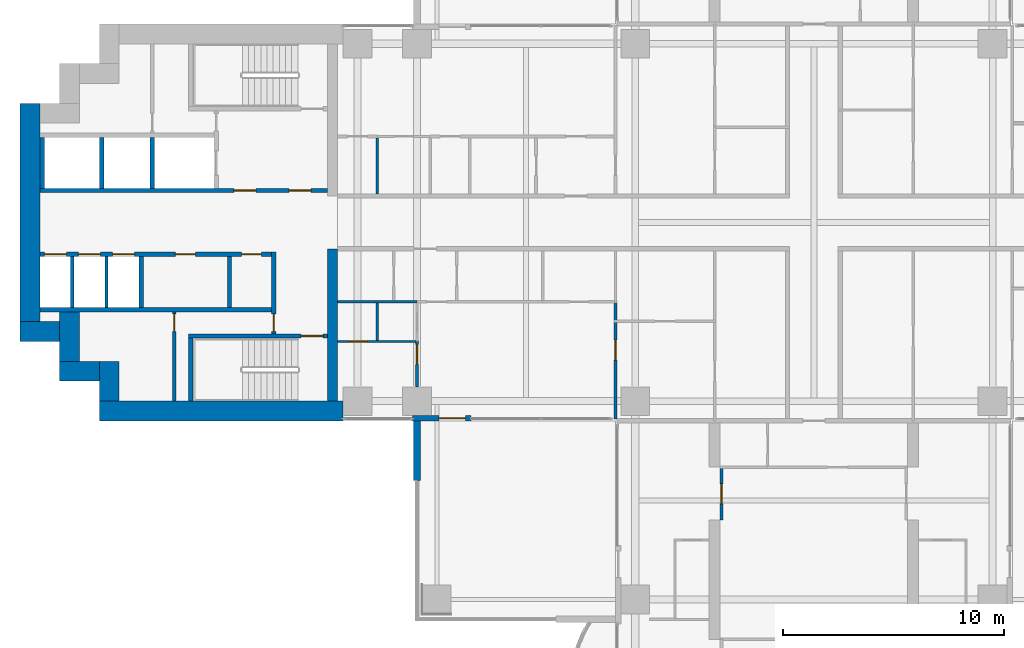
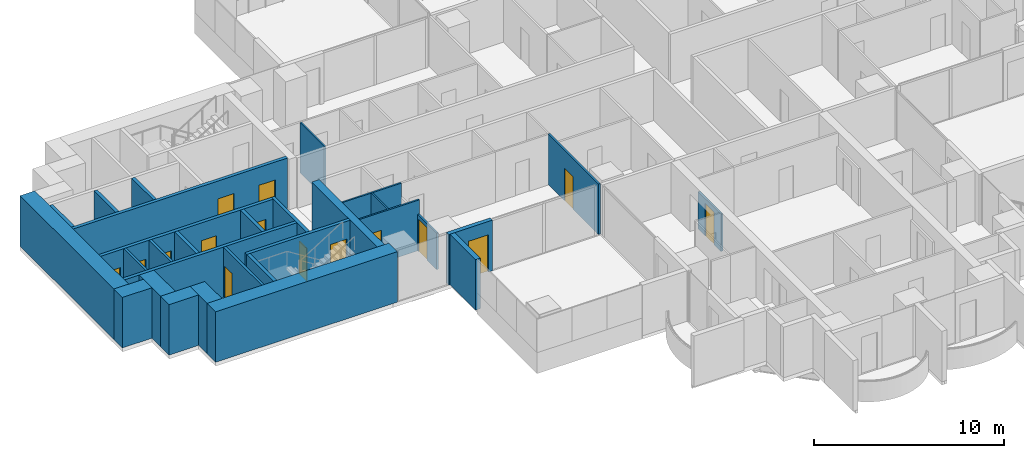
# One storey, part 10 of 21: 30 walls, 15 doors, 15 openings.
"""IFC4 building model written with IfcOpenShell, lengths in metres."""

from ifc_helpers import new_model, si_unit, direction, frame, frame_2d, origin, place, context, subcontext, project, spatial, rectangle, extrude, material, layer, layer_set, type_object, element, fill, save


model = new_model("IFC4")

# Units and contexts
model_context = context("Model", 3, precision=1e-05, world=origin(), true_north=direction((0.0, 1.0)))
body_context = subcontext(model_context, "Body", "Model", "MODEL_VIEW")
ifc_project = project(units=[si_unit("LENGTHUNIT", "METRE"), si_unit("AREAUNIT", "SQUARE_METRE"), si_unit("VOLUMEUNIT", "CUBIC_METRE"), si_unit("PLANEANGLEUNIT", "RADIAN"), si_unit("MASSUNIT", "GRAM", prefix="KILO")], contexts=[model_context])

# Site, building, storey
site_placement = place(None, origin())
site = spatial("IfcSite", under=ifc_project, at=site_placement, CompositionType="ELEMENT")
building_placement = place(site_placement, origin())
building = spatial("IfcBuilding", under=site, at=building_placement, Name="Perihelion Cross Residences", CompositionType="ELEMENT")
storey_placement = place(building_placement, frame((0.0, 0.0, 57.5)))
storey = spatial("IfcBuildingStorey", under=building, at=storey_placement, Name="L11", CompositionType="ELEMENT", Elevation=57.5)

# Wall, opening, door
ifc_material_1 = material(Name="Concrete C30/37, bronze-clad", Category="concrete")
ifc_layer_1 = layer(ifc_material_1, 0.25)
ifc_layer_set_1 = layer_set([ifc_layer_1], Name="Bronze-clad pier wall 250")
wall_type_1 = type_object("IfcWallType", Name="Bronze-clad pier wall 250", PredefinedType="SOLIDWALL", material=ifc_layer_set_1)
wall_1_placement = place(storey_placement, frame((-18.199951171875, -8.875, 0.0), z_axis=(0.0, 0.0, 1.0), x_axis=(1.0, 0.0, 0.0)))
wall_1 = element("IfcWall", 1, at=wall_1_placement, inside=storey, type_object=wall_type_1, Name="Wall FW1 L11 west side south bay 2 pier", PredefinedType="SOLIDWALL", context=body_context, shape_type="SweptSolid", body=[
    extrude(rectangle(XDim=2.64990234375, YDim=0.25, at=frame_2d((1.324951171875, 0.0))), origin(), (0.0, 0.0, 1.0), 3.25),
])
opening_1_placement = place(wall_1_placement, frame((1.199951171875, 0.0, 0.0)))
opening_1 = element("IfcOpeningElement", 2, at=opening_1_placement, cuts=wall_1, Name="Opening L11.E09", PredefinedType="OPENING", context=body_context, shape_type="SweptSolid", body=[
    extrude(rectangle(XDim=1.199951171875, YDim=2.39990234375, at=frame_2d((0.60009765625, 1.199951171875))), frame((0.0, 0.135009765625, 0.0), z_axis=(0.0, -1.0, 0.0), x_axis=(1.0, 0.0, 0.0)), (0.0, 0.0, 1.0), 0.27001953125),
])
ifc_material_2 = material(Name="Bronze anodised aluminium, glazed", Category="aluminium")
door_type_1 = type_object("IfcDoorType", Name="Balcony door 1200 x 2400", OperationType="NOTDEFINED", PredefinedType="DOOR", material=ifc_material_2)
door_1_placement = place(opening_1_placement, origin())
door_1 = element("IfcDoor", 3, at=door_1_placement, inside=storey, type_object=door_type_1, Name="Door L11.E09 west side south bay 2", OperationType="SINGLE_SWING_RIGHT", OverallHeight=2.39990234375, OverallWidth=1.199951171875, PredefinedType="DOOR", context=body_context, shape_type="SweptSolid", body=[
    extrude(rectangle(XDim=1.199951171875, YDim=2.39990234375, at=frame_2d((0.60009765625, 1.199951171875))), frame((0.0, 0.02490234375, 0.0), z_axis=(0.0, -1.0, 0.0), x_axis=(1.0, 0.0, 0.0)), (0.0, 0.0, 1.0), 0.050048828125),
])
fill(opening_1, door_1)

# Walls
ifc_material_3 = material(Name="Concrete C60/75", Category="concrete")
ifc_layer_2 = layer(ifc_material_3, 0.449951171875)
ifc_layer_set_2 = layer_set([ifc_layer_2], Name="Core wall, inner 450")
wall_type_2 = type_object("IfcWallType", Name="Core wall, inner 450", PredefinedType="SHEAR", material=ifc_layer_set_2)
wall_2_placement = place(storey_placement, frame((-21.824951171875, -8.10009765625, 0.0), z_axis=(0.0, 0.0, 1.0), x_axis=(0.0, 1.0, 0.0)))
element("IfcWall", 4, at=wall_2_placement, inside=storey, type_object=wall_type_2, Name="West core core wall, inner", PredefinedType="SHEAR", context=body_context, shape_type="SweptSolid", body=[
    extrude(rectangle(XDim=6.900146484375, YDim=0.449951171875, at=frame_2d((3.4501953125, 0.0))), origin(), (0.0, 0.0, 1.0), 3.25),
])
ifc_material_4 = material(Name="Concrete C60/75", Category="concrete")
ifc_layer_3 = layer(ifc_material_4, 0.89990234375)
ifc_layer_set_3 = layer_set([ifc_layer_3], Name="Core wall, outer 900")
wall_type_3 = type_object("IfcWallType", Name="Core wall, outer 900", PredefinedType="SHEAR", material=ifc_layer_set_3)
wall_3_placement = place(storey_placement, frame((-32.39990234375, -8.550048828125, 0.0), z_axis=(0.0, 0.0, 1.0), x_axis=(1.0, 0.0, 0.0)))
element("IfcWall", 5, at=wall_3_placement, inside=storey, type_object=wall_type_3, Name="West core core wall, outer", PredefinedType="SHEAR", context=body_context, shape_type="SweptSolid", body=[
    extrude(rectangle(XDim=11.0498046875, YDim=0.89990234375, at=frame_2d((5.52490234375, 0.0))), origin(), (0.0, 0.0, 1.0), 3.25),
])
for number, where, z_axis, x_axis, name in (
    (6, (-31.949951171875, -8.10009765625, 0.0), (0.0, 0.0, 1.0), (0.0, 1.0, 0.0), "West core core wall, outer"),
    (7, (-34.199951171875, -6.75, 0.0), (0.0, 0.0, 1.0), (1.0, 0.0, 0.0), "West core core wall, outer"),
):
    element("IfcWall", number, at=place(storey_placement, frame(where, z_axis=z_axis, x_axis=x_axis)), inside=storey, type_object=wall_type_3, Name=name, PredefinedType="SHEAR", context=body_context, shape_type="SweptSolid", body=[
        extrude(rectangle(XDim=1.800048828125, YDim=0.89990234375, at=frame_2d((0.89990234375, 0.0))), origin(), (0.0, 0.0, 1.0), 3.25),
    ])
wall_4_placement = place(storey_placement, frame((-33.75, -6.300048828125, 0.0), z_axis=(0.0, 0.0, 1.0), x_axis=(0.0, 1.0, 0.0)))
element("IfcWall", 8, at=wall_4_placement, inside=storey, type_object=wall_type_3, Name="West core core wall, outer", PredefinedType="SHEAR", context=body_context, shape_type="SweptSolid", body=[
    extrude(rectangle(XDim=2.25, YDim=0.89990234375, at=frame_2d((1.125, 0.0))), origin(), (0.0, 0.0, 1.0), 3.25),
])
wall_5_placement = place(storey_placement, frame((-36.0, -4.949951171875, 0.0), z_axis=(0.0, 0.0, 1.0), x_axis=(1.0, 0.0, 0.0)))
element("IfcWall", 9, at=wall_5_placement, inside=storey, type_object=wall_type_3, Name="West core core wall, outer", PredefinedType="SHEAR", context=body_context, shape_type="SweptSolid", body=[
    extrude(rectangle(XDim=1.800048828125, YDim=0.89990234375, at=frame_2d((0.89990234375, 0.0))), origin(), (0.0, 0.0, 1.0), 3.25),
])
wall_6_placement = place(storey_placement, frame((-35.550048828125, -4.5, 0.0), z_axis=(0.0, 0.0, 1.0), x_axis=(0.0, 1.0, 0.0)))
element("IfcWall", 10, at=wall_6_placement, inside=storey, type_object=wall_type_3, Name="West core core wall, outer", PredefinedType="SHEAR", context=body_context, shape_type="SweptSolid", body=[
    extrude(rectangle(XDim=9.89990234375, YDim=0.89990234375, at=frame_2d((4.949951171875, 0.0))), origin(), (0.0, 0.0, 1.0), 3.25),
])

# Wall, opening, door
ifc_material_5 = material(Name="Plasterboard partition")
ifc_layer_4 = layer(ifc_material_5, 0.1201171875)
ifc_layer_set_4 = layer_set([ifc_layer_4], Name="Infill panel 120")
wall_type_4 = type_object("IfcWallType", Name="Infill panel 120", PredefinedType="PARTITIONING", material=ifc_layer_set_4)
wall_7_placement = place(storey_placement, frame((-4.18994140625, -11.10009765625, 0.0), z_axis=(0.0, 0.0, 1.0), x_axis=(0.0, -1.0, 0.0)))
wall_7 = element("IfcWall", 11, at=wall_7_placement, inside=storey, type_object=wall_type_4, Name="Partition L11 WI07", PredefinedType="PARTITIONING", context=body_context, shape_type="SweptSolid", body=[
    extrude(rectangle(XDim=2.39990234375, YDim=0.1201171875, at=frame_2d((1.199951171875, 0.0))), origin(), (0.0, 0.0, 1.0), 2.39990234375),
])
opening_2_placement = place(wall_7_placement, frame((0.75, 0.0, 0.0)))
opening_2 = element("IfcOpeningElement", 12, at=opening_2_placement, cuts=wall_7, Name="Opening L11.A63", PredefinedType="OPENING", context=body_context, shape_type="SweptSolid", body=[
    extrude(rectangle(XDim=0.89990234375, YDim=2.10009765625, at=frame_2d((0.449951171875, 1.050048828125))), frame((0.0, 0.070068359375, 0.0), z_axis=(0.0, -1.0, 0.0), x_axis=(1.0, 0.0, 0.0)), (0.0, 0.0, 1.0), 0.14013671875),
])
ifc_material_6 = material(Name="Timber door leaf", Category="wood")
door_type_2 = type_object("IfcDoorType", Name="Interior room door 900 x 2100", OperationType="SINGLE_SWING_LEFT", PredefinedType="DOOR", material=ifc_material_6)
door_2_placement = place(opening_2_placement, origin())
door_2 = element("IfcDoor", 13, at=door_2_placement, inside=storey, type_object=door_type_2, Name="Door L11.A63", OperationType="SINGLE_SWING_LEFT", OverallHeight=2.10009765625, OverallWidth=0.89990234375, PredefinedType="DOOR", context=body_context, shape_type="SweptSolid", body=[
    extrude(rectangle(XDim=0.89990234375, YDim=2.10009765625, at=frame_2d((0.449951171875, 1.050048828125))), frame((0.0, 0.02490234375, 0.0), z_axis=(0.0, -1.0, 0.0), x_axis=(1.0, 0.0, 0.0)), (0.0, 0.0, 1.0), 0.050048828125),
])
fill(opening_2, door_2)

ifc_material_7 = material(Name="Concrete C50/60", Category="concrete")
ifc_layer_5 = layer(ifc_material_7, 0.199951171875)
ifc_layer_set_5 = layer_set([ifc_layer_5], Name="Lobby wall 200")
wall_type_5 = type_object("IfcWallType", Name="Lobby wall 200", PredefinedType="SOLIDWALL", material=ifc_layer_set_5)
wall_8_placement = place(storey_placement, frame((-24.5, -5.050048828125, 0.0), z_axis=(0.0, 0.0, 1.0), x_axis=(0.0, 1.0, 0.0)))
wall_8 = element("IfcWall", 14, at=wall_8_placement, inside=storey, type_object=wall_type_5, Name="West core lobby wall", PredefinedType="SOLIDWALL", context=body_context, shape_type="SweptSolid", body=[
    extrude(rectangle(XDim=3.699951171875, YDim=0.199951171875, at=frame_2d((1.85009765625, 0.0))), origin(), (0.0, 0.0, 1.0), 3.25),
])
opening_3_placement = place(wall_8_placement, frame((0.10009765625, 0.0, 0.0)))
opening_3 = element("IfcOpeningElement", 15, at=opening_3_placement, cuts=wall_8, Name="Opening L11.C22", PredefinedType="OPENING", context=body_context, shape_type="SweptSolid", body=[
    extrude(rectangle(XDim=0.800048828125, YDim=2.10009765625, at=frame_2d((0.39990234375, 1.050048828125))), frame((0.0, 0.10986328125, 0.0), z_axis=(0.0, -1.0, 0.0), x_axis=(1.0, 0.0, 0.0)), (0.0, 0.0, 1.0), 0.219970703125),
])
ifc_material_8 = material(Name="Steel, powder coated", Category="steel")
door_type_3 = type_object("IfcDoorType", Name="Riser door 800", OperationType="SINGLE_SWING_LEFT", PredefinedType="DOOR", material=ifc_material_8)
door_3_placement = place(opening_3_placement, origin())
door_3 = element("IfcDoor", 16, at=door_3_placement, inside=storey, type_object=door_type_3, Name="West core riser door", OperationType="SINGLE_SWING_LEFT", OverallHeight=2.10009765625, OverallWidth=0.800048828125, PredefinedType="DOOR", context=body_context, shape_type="SweptSolid", body=[
    extrude(rectangle(XDim=0.800048828125, YDim=2.10009765625, at=frame_2d((0.39990234375, 1.050048828125))), frame((0.0, 0.02490234375, 0.0), z_axis=(0.0, -1.0, 0.0), x_axis=(1.0, 0.0, 0.0)), (0.0, 0.0, 1.0), 0.050048828125),
])
fill(opening_3, door_3)

ifc_material_9 = material(Name="Plasterboard partition")
ifc_layer_6 = layer(ifc_material_9, 0.1201171875)
ifc_layer_set_6 = layer_set([ifc_layer_6], Name="Partition wall 120")
wall_type_6 = type_object("IfcWallType", Name="Partition wall 120", PredefinedType="PARTITIONING", material=ifc_layer_set_6)
wall_9_placement = place(storey_placement, frame((-18.0, -7.449951171875, 0.0), z_axis=(0.0, 0.0, 1.0), x_axis=(0.0, 1.0, 0.0)))
wall_9 = element("IfcWall", 17, at=wall_9_placement, inside=storey, type_object=wall_type_6, Name="Partition L11 W054", PredefinedType="PARTITIONING", context=body_context, shape_type="SweptSolid", body=[
    extrude(rectangle(XDim=2.050048828125, YDim=0.1201171875, at=frame_2d((1.02490234375, 0.0))), origin(), (0.0, 0.0, 1.0), 2.345947265625),
])
opening_4_placement = place(wall_9_placement, frame((1.02001953125, 0.0, 0.0)))
opening_4 = element("IfcOpeningElement", 18, at=opening_4_placement, cuts=wall_9, Name="Opening L11.A26", PredefinedType="OPENING", context=body_context, shape_type="SweptSolid", body=[
    extrude(rectangle(XDim=0.89990234375, YDim=2.10009765625, at=frame_2d((0.449951171875, 1.050048828125))), frame((0.0, 0.070068359375, 0.0), z_axis=(0.0, -1.0, 0.0), x_axis=(1.0, 0.0, 0.0)), (0.0, 0.0, 1.0), 0.14013671875),
])
door_4_placement = place(opening_4_placement, origin())
door_4 = element("IfcDoor", 19, at=door_4_placement, inside=storey, type_object=door_type_2, Name="Door L11.A26", OperationType="SINGLE_SWING_RIGHT", OverallHeight=2.10009765625, OverallWidth=0.89990234375, PredefinedType="DOOR", context=body_context, shape_type="SweptSolid", body=[
    extrude(rectangle(XDim=0.89990234375, YDim=2.10009765625, at=frame_2d((0.449951171875, 1.050048828125))), frame((0.0, 0.02490234375, 0.0), z_axis=(0.0, -1.0, 0.0), x_axis=(1.0, 0.0, 0.0)), (0.0, 0.0, 1.0), 0.050048828125),
])
fill(opening_4, door_4)

wall_10_placement = place(storey_placement, frame((-9.0, -3.60009765625, 0.0), z_axis=(0.0, 0.0, 1.0), x_axis=(0.0, -1.0, 0.0)))
wall_10 = element("IfcWall", 20, at=wall_10_placement, inside=storey, type_object=wall_type_6, Name="Partition L11 W055", PredefinedType="PARTITIONING", context=body_context, shape_type="SweptSolid", body=[
    extrude(rectangle(XDim=5.31982421875, YDim=0.1201171875, at=frame_2d((2.659912109375, 0.0))), origin(), (0.0, 0.0, 1.0), 3.25),
])
opening_5_placement = place(wall_10_placement, frame((1.738037109375, 0.0, 0.0)))
opening_5 = element("IfcOpeningElement", 21, at=opening_5_placement, cuts=wall_10, Name="Opening L11.A35", PredefinedType="OPENING", context=body_context, shape_type="SweptSolid", body=[
    extrude(rectangle(XDim=0.89990234375, YDim=2.10009765625, at=frame_2d((0.449951171875, 1.050048828125))), frame((0.0, 0.070068359375, 0.0), z_axis=(0.0, -1.0, 0.0), x_axis=(1.0, 0.0, 0.0)), (0.0, 0.0, 1.0), 0.14013671875),
])
door_5_placement = place(opening_5_placement, origin())
door_5 = element("IfcDoor", 22, at=door_5_placement, inside=storey, type_object=door_type_2, Name="Door L11.A35", OperationType="SINGLE_SWING_RIGHT", OverallHeight=2.10009765625, OverallWidth=0.89990234375, PredefinedType="DOOR", context=body_context, shape_type="SweptSolid", body=[
    extrude(rectangle(XDim=0.89990234375, YDim=2.10009765625, at=frame_2d((0.449951171875, 1.050048828125))), frame((0.0, 0.02490234375, 0.0), z_axis=(0.0, -1.0, 0.0), x_axis=(1.0, 0.0, 0.0)), (0.0, 0.0, 1.0), 0.050048828125),
])
fill(opening_5, door_5)

# Wall
ifc_material_10 = material(Name="Precast concrete C50/60", Category="concrete")
ifc_layer_7 = layer(ifc_material_10, 0.300048828125)
ifc_layer_set_7 = layer_set([ifc_layer_7], Name="Precast concrete C50/60 blade wall 300")
wall_type_7 = type_object("IfcWallType", Name="Precast concrete C50/60 blade wall 300", PredefinedType="SOLIDWALL", material=ifc_layer_set_7)
wall_11_placement = place(storey_placement, frame((-18.0, -8.75, 0.0), z_axis=(0.0, 0.0, 1.0), x_axis=(0.0, -1.0, 0.0)))
element("IfcWall", 23, at=wall_11_placement, inside=storey, type_object=wall_type_7, Name="Wall BL1 L11 no. 1", PredefinedType="SOLIDWALL", context=body_context, shape_type="SweptSolid", body=[
    extrude(rectangle(XDim=2.949951171875, YDim=0.300048828125, at=frame_2d((1.47509765625, 0.0))), origin(), (0.0, 0.0, 1.0), 3.25),
])

# Wall, opening, door
ifc_material_11 = material(Name="Fire-rated board on steel stud", Category="steel")
ifc_layer_8 = layer(ifc_material_11, 0.14990234375)
ifc_layer_set_8 = layer_set([ifc_layer_8], Name="Riser wall 150")
wall_type_8 = type_object("IfcWallType", Name="Riser wall 150", PredefinedType="PARTITIONING", material=ifc_layer_set_8)
wall_12_placement = place(storey_placement, frame((-29.0, -8.10009765625, 0.0), z_axis=(0.0, 0.0, 1.0), x_axis=(0.0, 1.0, 0.0)))
wall_12 = element("IfcWall", 24, at=wall_12_placement, inside=storey, type_object=wall_type_8, Name="West core riser wall", PredefinedType="PARTITIONING", context=body_context, shape_type="SweptSolid", body=[
    extrude(rectangle(XDim=4.050048828125, YDim=0.14990234375, at=frame_2d((2.02490234375, 0.0))), origin(), (0.0, 0.0, 1.0), 3.25),
])
opening_6_placement = place(wall_12_placement, frame((3.14990234375, 0.0, 0.0)))
opening_6 = element("IfcOpeningElement", 25, at=opening_6_placement, cuts=wall_12, Name="Opening L11.C27", PredefinedType="OPENING", context=body_context, shape_type="SweptSolid", body=[
    extrude(rectangle(XDim=0.800048828125, YDim=2.10009765625, at=frame_2d((0.39990234375, 1.050048828125))), frame((0.0, 0.0849609375, 0.0), z_axis=(0.0, -1.0, 0.0), x_axis=(1.0, 0.0, 0.0)), (0.0, 0.0, 1.0), 0.169921875),
])
door_6_placement = place(opening_6_placement, origin())
door_6 = element("IfcDoor", 26, at=door_6_placement, inside=storey, type_object=door_type_3, Name="West core riser door", OperationType="SINGLE_SWING_LEFT", OverallHeight=2.10009765625, OverallWidth=0.800048828125, PredefinedType="DOOR", context=body_context, shape_type="SweptSolid", body=[
    extrude(rectangle(XDim=0.800048828125, YDim=2.10009765625, at=frame_2d((0.39990234375, 1.050048828125))), frame((0.0, 0.02490234375, 0.0), z_axis=(0.0, -1.0, 0.0), x_axis=(1.0, 0.0, 0.0)), (0.0, 0.0, 1.0), 0.050048828125),
])
fill(opening_6, door_6)

# Walls
ifc_material_12 = material(Name="Fire-rated board on steel stud", Category="steel")
ifc_layer_9 = layer(ifc_material_12, 0.199951171875)
ifc_layer_set_9 = layer_set([ifc_layer_9], Name="Riser wall 200")
wall_type_9 = type_object("IfcWallType", Name="Riser wall 200", PredefinedType="PARTITIONING", material=ifc_layer_set_9)
wall_13_placement = place(storey_placement, frame((-26.5, -3.85009765625, 0.0), z_axis=(0.0, 0.0, 1.0), x_axis=(0.0, 1.0, 0.0)))
element("IfcWall", 27, at=wall_13_placement, inside=storey, type_object=wall_type_9, Name="West core riser wall", PredefinedType="PARTITIONING", context=body_context, shape_type="SweptSolid", body=[
    extrude(rectangle(XDim=2.300048828125, YDim=0.199951171875, at=frame_2d((1.14990234375, 0.0))), origin(), (0.0, 0.0, 1.0), 3.25),
])
ifc_material_13 = material(Name="Concrete C50/60", Category="concrete")
ifc_layer_10 = layer(ifc_material_13, 0.14990234375)
ifc_layer_set_10 = layer_set([ifc_layer_10], Name="Shaft wall 150")
wall_type_10 = type_object("IfcWallType", Name="Shaft wall 150", PredefinedType="SOLIDWALL", material=ifc_layer_set_10)
for number, where, z_axis, x_axis, name in (
    (28, (-32.074951171875, -3.85009765625, 0.0), (0.0, 0.0, 1.0), (0.0, 1.0, 0.0), "West core shaft wall"),
    (29, (-33.625, -3.85009765625, 0.0), (0.0, 0.0, 1.0), (0.0, 1.0, 0.0), "West core shaft wall"),
):
    element("IfcWall", number, at=place(storey_placement, frame(where, z_axis=z_axis, x_axis=x_axis)), inside=storey, type_object=wall_type_10, Name=name, PredefinedType="SOLIDWALL", context=body_context, shape_type="SweptSolid", body=[
        extrude(rectangle(XDim=2.300048828125, YDim=0.14990234375, at=frame_2d((1.14990234375, 0.0))), origin(), (0.0, 0.0, 1.0), 3.25),
    ])

# Wall, openings, doors
ifc_material_14 = material(Name="Concrete C50/60", Category="concrete")
ifc_layer_11 = layer(ifc_material_14, 0.199951171875)
ifc_layer_set_11 = layer_set([ifc_layer_11], Name="Shaft wall 200")
wall_type_11 = type_object("IfcWallType", Name="Shaft wall 200", PredefinedType="SOLIDWALL", material=ifc_layer_set_11)
wall_14_placement = place(storey_placement, frame((-35.10009765625, 1.449951171875, 0.0), z_axis=(0.0, 0.0, 1.0), x_axis=(1.0, 0.0, 0.0)))
wall_14 = element("IfcWall", 30, at=wall_14_placement, inside=storey, type_object=wall_type_11, Name="West core shaft wall", PredefinedType="SOLIDWALL", context=body_context, shape_type="SweptSolid", body=[
    extrude(rectangle(XDim=13.050048828125, YDim=0.199951171875, at=frame_2d((6.52490234375, 0.0))), origin(), (0.0, 0.0, 1.0), 3.25),
])
opening_7_placement = place(wall_14_placement, frame((11.300048828125, 0.0, 0.0)))
opening_7 = element("IfcOpeningElement", 31, at=opening_7_placement, cuts=wall_14, Name="Opening L11.C21", PredefinedType="OPENING", context=body_context, shape_type="SweptSolid", body=[
    extrude(rectangle(XDim=1.0, YDim=2.10009765625, at=frame_2d((0.5, 1.050048828125))), frame((0.0, 0.10986328125, 0.0), z_axis=(0.0, -1.0, 0.0), x_axis=(1.0, 0.0, 0.0)), (0.0, 0.0, 1.0), 0.219970703125),
])
opening_8_placement = place(wall_14_placement, frame((8.800048828125, 0.0, 0.0)))
opening_8 = element("IfcOpeningElement", 32, at=opening_8_placement, cuts=wall_14, Name="Opening L11.C24", PredefinedType="OPENING", context=body_context, shape_type="SweptSolid", body=[
    extrude(rectangle(XDim=1.0, YDim=2.10009765625, at=frame_2d((0.5, 1.050048828125))), frame((0.0, 0.10986328125, 0.0), z_axis=(0.0, -1.0, 0.0), x_axis=(1.0, 0.0, 0.0)), (0.0, 0.0, 1.0), 0.219970703125),
])
ifc_material_15 = material(Name="Steel, powder coated", Category="steel")
door_type_4 = type_object("IfcDoorType", Name="Lobby door 1000", OperationType="SINGLE_SWING_LEFT", PredefinedType="DOOR", material=ifc_material_15)
door_7_placement = place(opening_7_placement, origin())
door_7 = element("IfcDoor", 33, at=door_7_placement, inside=storey, type_object=door_type_4, Name="West core firefighting lobby door", OperationType="SINGLE_SWING_LEFT", OverallHeight=2.10009765625, OverallWidth=1.0, PredefinedType="DOOR", context=body_context, shape_type="SweptSolid", body=[
    extrude(rectangle(XDim=1.0, YDim=2.10009765625, at=frame_2d((0.5, 1.050048828125))), frame((0.0, 0.02490234375, 0.0), z_axis=(0.0, -1.0, 0.0), x_axis=(1.0, 0.0, 0.0)), (0.0, 0.0, 1.0), 0.050048828125),
])
fill(opening_7, door_7)
door_8_placement = place(opening_8_placement, origin())
door_8 = element("IfcDoor", 34, at=door_8_placement, inside=storey, type_object=door_type_4, Name="West core firefighting lobby door", OperationType="SINGLE_SWING_LEFT", OverallHeight=2.10009765625, OverallWidth=1.0, PredefinedType="DOOR", context=body_context, shape_type="SweptSolid", body=[
    extrude(rectangle(XDim=1.0, YDim=2.10009765625, at=frame_2d((0.5, 1.050048828125))), frame((0.0, 0.02490234375, 0.0), z_axis=(0.0, -1.0, 0.0), x_axis=(1.0, 0.0, 0.0)), (0.0, 0.0, 1.0), 0.050048828125),
])
fill(opening_8, door_8)

wall_15_placement = place(storey_placement, frame((-35.10009765625, -1.449951171875, 0.0), z_axis=(0.0, 0.0, 1.0), x_axis=(1.0, 0.0, 0.0)))
wall_15 = element("IfcWall", 35, at=wall_15_placement, inside=storey, type_object=wall_type_11, Name="West core shaft wall", PredefinedType="SOLIDWALL", context=body_context, shape_type="SweptSolid", body=[
    extrude(rectangle(XDim=10.5, YDim=0.199951171875, at=frame_2d((5.25, 0.0))), origin(), (0.0, 0.0, 1.0), 3.25),
])
opening_9_placement = place(wall_15_placement, frame((3.300048828125, 0.0, 0.0)))
opening_9 = element("IfcOpeningElement", 36, at=opening_9_placement, cuts=wall_15, Name="Opening L11.C16", PredefinedType="OPENING", context=body_context, shape_type="SweptSolid", body=[
    extrude(rectangle(XDim=1.0, YDim=2.10009765625, at=frame_2d((0.5, 1.050048828125))), frame((0.0, 0.10986328125, 0.0), z_axis=(0.0, -1.0, 0.0), x_axis=(1.0, 0.0, 0.0)), (0.0, 0.0, 1.0), 0.219970703125),
])
opening_10_placement = place(wall_15_placement, frame((1.75, 0.0, 0.0)))
opening_10 = element("IfcOpeningElement", 37, at=opening_10_placement, cuts=wall_15, Name="Opening L11.C17", PredefinedType="OPENING", context=body_context, shape_type="SweptSolid", body=[
    extrude(rectangle(XDim=1.0, YDim=2.10009765625, at=frame_2d((0.5, 1.050048828125))), frame((0.0, 0.10986328125, 0.0), z_axis=(0.0, -1.0, 0.0), x_axis=(1.0, 0.0, 0.0)), (0.0, 0.0, 1.0), 0.219970703125),
])
opening_11_placement = place(wall_15_placement, frame((0.199951171875, 0.0, 0.0)))
opening_11 = element("IfcOpeningElement", 38, at=opening_11_placement, cuts=wall_15, Name="Opening L11.C18", PredefinedType="OPENING", context=body_context, shape_type="SweptSolid", body=[
    extrude(rectangle(XDim=1.0, YDim=2.10009765625, at=frame_2d((0.5, 1.050048828125))), frame((0.0, 0.10986328125, 0.0), z_axis=(0.0, -1.0, 0.0), x_axis=(1.0, 0.0, 0.0)), (0.0, 0.0, 1.0), 0.219970703125),
])
opening_12_placement = place(wall_15_placement, frame((9.14990234375, 0.0, 0.0)))
opening_12 = element("IfcOpeningElement", 39, at=opening_12_placement, cuts=wall_15, Name="Opening L11.C23", PredefinedType="OPENING", context=body_context, shape_type="SweptSolid", body=[
    extrude(rectangle(XDim=0.89990234375, YDim=2.10009765625, at=frame_2d((0.449951171875, 1.050048828125))), frame((0.0, 0.10986328125, 0.0), z_axis=(0.0, -1.0, 0.0), x_axis=(1.0, 0.0, 0.0)), (0.0, 0.0, 1.0), 0.219970703125),
])
opening_13_placement = place(wall_15_placement, frame((6.14990234375, 0.0, 0.0)))
opening_13 = element("IfcOpeningElement", 40, at=opening_13_placement, cuts=wall_15, Name="Opening L11.C26", PredefinedType="OPENING", context=body_context, shape_type="SweptSolid", body=[
    extrude(rectangle(XDim=0.89990234375, YDim=2.10009765625, at=frame_2d((0.449951171875, 1.050048828125))), frame((0.0, 0.10986328125, 0.0), z_axis=(0.0, -1.0, 0.0), x_axis=(1.0, 0.0, 0.0)), (0.0, 0.0, 1.0), 0.219970703125),
])
ifc_material_16 = material(Name="Stainless steel", Category="steel")
door_type_5 = type_object("IfcDoorType", Name="Landing door 1000", OperationType="DOUBLE_DOOR_SLIDING", PredefinedType="DOOR", material=ifc_material_16)
door_9_placement = place(opening_9_placement, origin())
door_9 = element("IfcDoor", 41, at=door_9_placement, inside=storey, type_object=door_type_5, Name="Landing door, West core low-rise lift 1", OperationType="DOUBLE_DOOR_SLIDING", OverallHeight=2.10009765625, OverallWidth=1.0, PredefinedType="DOOR", context=body_context, shape_type="SweptSolid", body=[
    extrude(rectangle(XDim=1.0, YDim=2.10009765625, at=frame_2d((0.5, 1.050048828125))), frame((0.0, 0.02490234375, 0.0), z_axis=(0.0, -1.0, 0.0), x_axis=(1.0, 0.0, 0.0)), (0.0, 0.0, 1.0), 0.050048828125),
])
fill(opening_9, door_9)
door_10_placement = place(opening_10_placement, origin())
door_10 = element("IfcDoor", 42, at=door_10_placement, inside=storey, type_object=door_type_5, Name="Landing door, West core low-rise lift 2", OperationType="DOUBLE_DOOR_SLIDING", OverallHeight=2.10009765625, OverallWidth=1.0, PredefinedType="DOOR", context=body_context, shape_type="SweptSolid", body=[
    extrude(rectangle(XDim=1.0, YDim=2.10009765625, at=frame_2d((0.5, 1.050048828125))), frame((0.0, 0.02490234375, 0.0), z_axis=(0.0, -1.0, 0.0), x_axis=(1.0, 0.0, 0.0)), (0.0, 0.0, 1.0), 0.050048828125),
])
fill(opening_10, door_10)
door_11_placement = place(opening_11_placement, origin())
door_11 = element("IfcDoor", 43, at=door_11_placement, inside=storey, type_object=door_type_5, Name="Landing door, West core low-rise lift 3", OperationType="DOUBLE_DOOR_SLIDING", OverallHeight=2.10009765625, OverallWidth=1.0, PredefinedType="DOOR", context=body_context, shape_type="SweptSolid", body=[
    extrude(rectangle(XDim=1.0, YDim=2.10009765625, at=frame_2d((0.5, 1.050048828125))), frame((0.0, 0.02490234375, 0.0), z_axis=(0.0, -1.0, 0.0), x_axis=(1.0, 0.0, 0.0)), (0.0, 0.0, 1.0), 0.050048828125),
])
fill(opening_11, door_11)
ifc_material_17 = material(Name="Steel, powder coated", Category="steel")
door_type_6 = type_object("IfcDoorType", Name="Service room door 900", OperationType="SINGLE_SWING_LEFT", PredefinedType="DOOR", material=ifc_material_17)
door_12_placement = place(opening_12_placement, origin())
door_12 = element("IfcDoor", 44, at=door_12_placement, inside=storey, type_object=door_type_6, Name="West core service room door", OperationType="SINGLE_SWING_LEFT", OverallHeight=2.10009765625, OverallWidth=0.89990234375, PredefinedType="DOOR", context=body_context, shape_type="SweptSolid", body=[
    extrude(rectangle(XDim=0.89990234375, YDim=2.10009765625, at=frame_2d((0.449951171875, 1.050048828125))), frame((0.0, 0.02490234375, 0.0), z_axis=(0.0, -1.0, 0.0), x_axis=(1.0, 0.0, 0.0)), (0.0, 0.0, 1.0), 0.050048828125),
])
fill(opening_12, door_12)
door_13_placement = place(opening_13_placement, origin())
door_13 = element("IfcDoor", 45, at=door_13_placement, inside=storey, type_object=door_type_6, Name="West core service room door", OperationType="SINGLE_SWING_LEFT", OverallHeight=2.10009765625, OverallWidth=0.89990234375, PredefinedType="DOOR", context=body_context, shape_type="SweptSolid", body=[
    extrude(rectangle(XDim=0.89990234375, YDim=2.10009765625, at=frame_2d((0.449951171875, 1.050048828125))), frame((0.0, 0.02490234375, 0.0), z_axis=(0.0, -1.0, 0.0), x_axis=(1.0, 0.0, 0.0)), (0.0, 0.0, 1.0), 0.050048828125),
])
fill(opening_13, door_13)

# Walls
wall_16_placement = place(storey_placement, frame((-35.10009765625, -3.949951171875, 0.0), z_axis=(0.0, 0.0, 1.0), x_axis=(1.0, 0.0, 0.0)))
element("IfcWall", 46, at=wall_16_placement, inside=storey, type_object=wall_type_11, Name="West core shaft wall", PredefinedType="SOLIDWALL", context=body_context, shape_type="SweptSolid", body=[
    extrude(rectangle(XDim=10.5, YDim=0.199951171875, at=frame_2d((5.25, 0.0))), origin(), (0.0, 0.0, 1.0), 3.25),
])
for number, where, z_axis, x_axis, name in (
    (47, (-30.0, 1.550048828125, 0.0), (0.0, 0.0, 1.0), (0.0, 1.0, 0.0), "West core shaft wall"),
    (48, (-32.300048828125, 1.550048828125, 0.0), (0.0, 0.0, 1.0), (0.0, 1.0, 0.0), "West core shaft wall"),
    (49, (-35.0, 1.550048828125, 0.0), (0.0, 0.0, 1.0), (0.0, 1.0, 0.0), "West core shaft wall"),
    (50, (-30.5, -3.85009765625, 0.0), (0.0, 0.0, 1.0), (0.0, 1.0, 0.0), "West core shaft wall"),
):
    element("IfcWall", number, at=place(storey_placement, frame(where, z_axis=z_axis, x_axis=x_axis)), inside=storey, type_object=wall_type_11, Name=name, PredefinedType="SOLIDWALL", context=body_context, shape_type="SweptSolid", body=[
        extrude(rectangle(XDim=2.300048828125, YDim=0.199951171875, at=frame_2d((1.14990234375, 0.0))), origin(), (0.0, 0.0, 1.0), 3.25),
    ])

# Wall, opening, door
ifc_material_18 = material(Name="Concrete C50/60", Category="concrete")
ifc_layer_12 = layer(ifc_material_18, 0.199951171875)
ifc_layer_set_12 = layer_set([ifc_layer_12], Name="Stair wall 200")
wall_type_12 = type_object("IfcWallType", Name="Stair wall 200", PredefinedType="SOLIDWALL", material=ifc_layer_set_12)
wall_17_placement = place(storey_placement, frame((-28.35009765625, -5.14990234375, 0.0), z_axis=(0.0, 0.0, 1.0), x_axis=(1.0, 0.0, 0.0)))
wall_17 = element("IfcWall", 51, at=wall_17_placement, inside=storey, type_object=wall_type_12, Name="West core stair wall", PredefinedType="SOLIDWALL", context=body_context, shape_type="SweptSolid", body=[
    extrude(rectangle(XDim=6.300048828125, YDim=0.199951171875, at=frame_2d((3.14990234375, 0.0))), origin(), (0.0, 0.0, 1.0), 3.25),
])
opening_14_placement = place(wall_17_placement, frame((5.10009765625, 0.0, 0.0)))
opening_14 = element("IfcOpeningElement", 52, at=opening_14_placement, cuts=wall_17, Name="Opening L11.C19", PredefinedType="OPENING", context=body_context, shape_type="SweptSolid", body=[
    extrude(rectangle(XDim=1.0, YDim=2.10009765625, at=frame_2d((0.5, 1.050048828125))), frame((0.0, 0.10986328125, 0.0), z_axis=(0.0, -1.0, 0.0), x_axis=(1.0, 0.0, 0.0)), (0.0, 0.0, 1.0), 0.219970703125),
])
ifc_material_19 = material(Name="Steel, powder coated", Category="steel")
door_type_7 = type_object("IfcDoorType", Name="Stair door 1000", OperationType="SINGLE_SWING_LEFT", PredefinedType="DOOR", material=ifc_material_19)
door_14_placement = place(opening_14_placement, origin())
door_14 = element("IfcDoor", 53, at=door_14_placement, inside=storey, type_object=door_type_7, Name="West core stair door", OperationType="SINGLE_SWING_LEFT", OverallHeight=2.10009765625, OverallWidth=1.0, PredefinedType="DOOR", context=body_context, shape_type="SweptSolid", body=[
    extrude(rectangle(XDim=1.0, YDim=2.10009765625, at=frame_2d((0.5, 1.050048828125))), frame((0.0, 0.02490234375, 0.0), z_axis=(0.0, -1.0, 0.0), x_axis=(1.0, 0.0, 0.0)), (0.0, 0.0, 1.0), 0.050048828125),
])
fill(opening_14, door_14)

# Walls
wall_18_placement = place(storey_placement, frame((-28.25, -8.10009765625, 0.0), z_axis=(0.0, 0.0, 1.0), x_axis=(0.0, 1.0, 0.0)))
element("IfcWall", 54, at=wall_18_placement, inside=storey, type_object=wall_type_12, Name="West core stair wall", PredefinedType="SOLIDWALL", context=body_context, shape_type="SweptSolid", body=[
    extrude(rectangle(XDim=2.85009765625, YDim=0.199951171875, at=frame_2d((1.425048828125, 0.0))), origin(), (0.0, 0.0, 1.0), 3.25),
])
ifc_material_20 = material(Name="Plasterboard partition")
ifc_layer_13 = layer(ifc_material_20, 0.10009765625)
ifc_layer_set_13 = layer_set([ifc_layer_13], Name="Wet room wall 100")
wall_type_13 = type_object("IfcWallType", Name="Wet room wall 100", PredefinedType="PARTITIONING", material=ifc_layer_set_13)
wall_19_placement = place(storey_placement, frame((-19.800048828125, 1.300048828125, 0.0), z_axis=(0.0, 0.0, 1.0), x_axis=(0.0, 1.0, 0.0)))
element("IfcWall", 55, at=wall_19_placement, inside=storey, type_object=wall_type_13, Name="Partition L11 W040", PredefinedType="PARTITIONING", context=body_context, shape_type="SweptSolid", body=[
    extrude(rectangle(XDim=2.5400390625, YDim=0.10009765625, at=frame_2d((1.27001953125, 0.0))), origin(), (0.0, 0.0, 1.0), 3.25),
])
wall_20_placement = place(storey_placement, frame((-18.0, -3.60009765625, 0.0), z_axis=(0.0, 0.0, 1.0), x_axis=(-1.0, 0.0, 0.0)))
element("IfcWall", 56, at=wall_20_placement, inside=storey, type_object=wall_type_13, Name="Partition L11 W052", PredefinedType="PARTITIONING", context=body_context, shape_type="SweptSolid", body=[
    extrude(rectangle(XDim=3.60009765625, YDim=0.10009765625, at=frame_2d((1.800048828125, 0.0))), origin(), (0.0, 0.0, 1.0), 3.25),
])
wall_21_placement = place(storey_placement, frame((-19.800048828125, -5.35009765625, 0.0), z_axis=(0.0, 0.0, 1.0), x_axis=(0.0, 1.0, 0.0)))
element("IfcWall", 57, at=wall_21_placement, inside=storey, type_object=wall_type_13, Name="Partition L11 W056", PredefinedType="PARTITIONING", context=body_context, shape_type="SweptSolid", body=[
    extrude(rectangle(XDim=1.7001953125, YDim=0.10009765625, at=frame_2d((0.85009765625, 0.0))), origin(), (0.0, 0.0, 1.0), 3.25),
])

# Wall, opening, door
wall_22_placement = place(storey_placement, frame((-17.93994140625, -5.39990234375, 0.0), z_axis=(0.0, 0.0, 1.0), x_axis=(-1.0, 0.0, 0.0)))
wall_22 = element("IfcWall", 58, at=wall_22_placement, inside=storey, type_object=wall_type_13, Name="Partition L11 W057", PredefinedType="PARTITIONING", context=body_context, shape_type="SweptSolid", body=[
    extrude(rectangle(XDim=3.66015625, YDim=0.10009765625, at=frame_2d((1.830078125, 0.0))), origin(), (0.0, 0.0, 1.0), 3.25),
])
opening_15_placement = place(wall_22_placement, frame((2.3349609375, 0.0, 0.0)))
opening_15 = element("IfcOpeningElement", 59, at=opening_15_placement, cuts=wall_22, Name="Opening L11.A28", PredefinedType="OPENING", context=body_context, shape_type="SweptSolid", body=[
    extrude(rectangle(XDim=0.85009765625, YDim=2.10009765625, at=frame_2d((0.425048828125, 1.050048828125))), frame((0.0, 0.06005859375, 0.0), z_axis=(0.0, -1.0, 0.0), x_axis=(1.0, 0.0, 0.0)), (0.0, 0.0, 1.0), 0.1201171875),
])
ifc_material_21 = material(Name="Timber door leaf", Category="wood")
door_type_8 = type_object("IfcDoorType", Name="Interior bathroom door 850 x 2100", OperationType="SINGLE_SWING_LEFT", PredefinedType="DOOR", material=ifc_material_21)
door_15_placement = place(opening_15_placement, origin())
door_15 = element("IfcDoor", 60, at=door_15_placement, inside=storey, type_object=door_type_8, Name="Door L11.A28", OperationType="SINGLE_SWING_RIGHT", OverallHeight=2.10009765625, OverallWidth=0.85009765625, PredefinedType="DOOR", context=body_context, shape_type="SweptSolid", body=[
    extrude(rectangle(XDim=0.85009765625, YDim=2.10009765625, at=frame_2d((0.425048828125, 1.050048828125))), frame((0.0, 0.02490234375, 0.0), z_axis=(0.0, -1.0, 0.0), x_axis=(1.0, 0.0, 0.0)), (0.0, 0.0, 1.0), 0.050048828125),
])
fill(opening_15, door_15)

save(model, "model.ifc")
